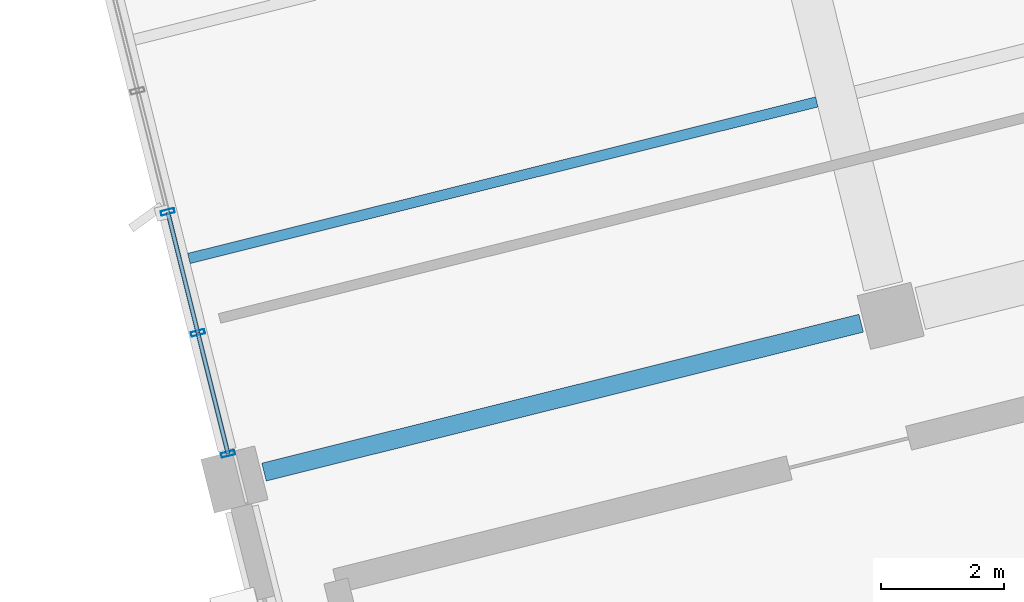
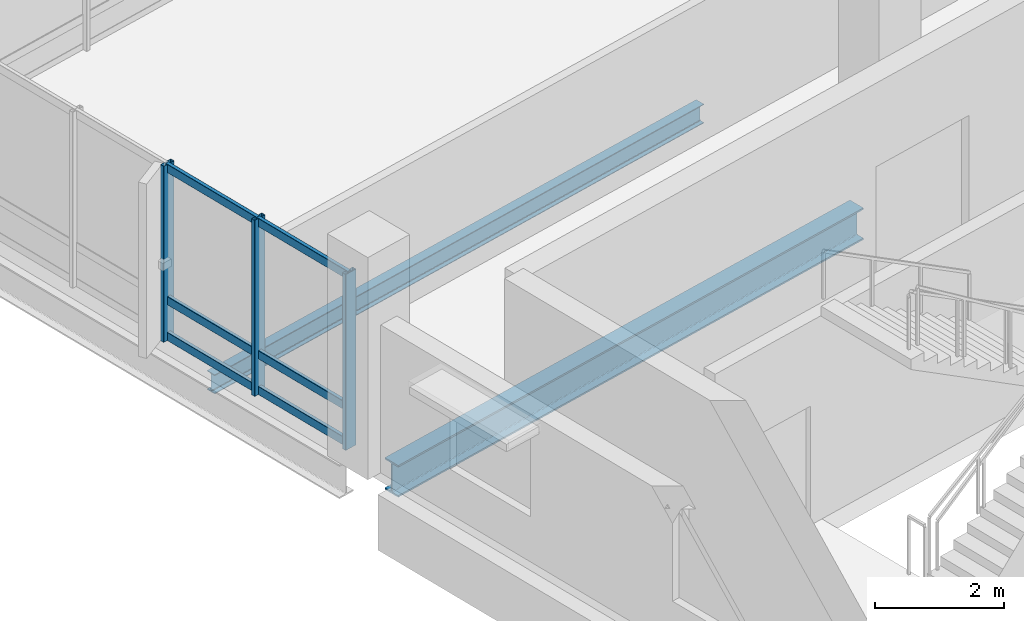
# One storey, part 2 of 42: 9 members, 2 beams, 1 element without a shape of its own.
"""IFC4 building model written with IfcOpenShell, lengths in metres."""

from ifc_helpers import new_model, si_unit, direction, frame, origin, origin_2d, place, context, subcontext, project, spatial, hollow_rectangle, i_section, extrude, material, layer, layer_set, material_profile, profile_set, type_object, element, aggregate, save


model = new_model("IFC4")

# Units and contexts
model_context = context("Model", 3, precision=1e-05, world=origin(), true_north=direction((0.0, 1.0)))
body_context = subcontext(model_context, "Body", "Model", "MODEL_VIEW")
ifc_project = project(units=[si_unit("LENGTHUNIT", "METRE"), si_unit("AREAUNIT", "SQUARE_METRE"), si_unit("VOLUMEUNIT", "CUBIC_METRE"), si_unit("PLANEANGLEUNIT", "RADIAN"), si_unit("MASSUNIT", "GRAM", prefix="KILO")], contexts=[model_context])

# Site, building, storey
site_placement = place(None, origin())
site = spatial("IfcSite", under=ifc_project, at=site_placement, CompositionType="ELEMENT")
building_placement = place(site_placement, origin())
building = spatial("IfcBuilding", under=site, at=building_placement, Name="Khorjan Park Terminus", CompositionType="ELEMENT")
storey_placement = place(building_placement, frame((0.0, 0.0, 20.4)))
storey = spatial("IfcBuildingStorey", under=building, at=storey_placement, Name="L04", CompositionType="ELEMENT", Elevation=20.4)

# Beams
ifc_material_1 = material(Name="Steel S355", Category="steel")
ifc_material_profile_1 = material_profile(ifc_material_1, i_section(OverallWidth=0.3, OverallDepth=0.6, WebThickness=0.0155, FlangeThickness=0.03, FilletRadius=0.027, at=origin_2d()), Name="HEB 600")
ifc_profile_set_1 = profile_set([ifc_material_profile_1], Name="Steel S355")
beam_type_1 = type_object("IfcBeamType", Name="BM-HEB600", PredefinedType="BEAM", material=ifc_profile_set_1)
beam_1_placement = place(storey_placement, frame((174.4924, 15.4541, -0.64), z_axis=(0.970294509049, 0.241926777576, 0.0), x_axis=(-0.241926777576, 0.970294509049, 0.0)))
element("IfcBeam", 1, at=beam_1_placement, inside=storey, type_object=beam_type_1, Name="Primary skew-grid floor girder SB-B60 (L04)", PredefinedType="BEAM", context=body_context, shape_type="SweptSolid", body=[
    extrude(i_section(OverallWidth=0.3, OverallDepth=0.6, WebThickness=0.0155, FlangeThickness=0.03, FilletRadius=0.027, at=origin_2d()), origin(), (0.0, 0.0, 1.0), 10.0101),
])
ifc_material_profile_2 = material_profile(ifc_material_1, i_section(OverallWidth=0.17, OverallDepth=0.36, WebThickness=0.008, FlangeThickness=0.0127, FilletRadius=0.018, at=origin_2d()), Name="IPE 360")
ifc_profile_set_2 = profile_set([ifc_material_profile_2], Name="Steel S355")
beam_type_2 = type_object("IfcBeamType", Name="JS-IPE360", PredefinedType="JOIST", material=ifc_profile_set_2)
beam_2_placement = place(storey_placement, frame((173.2706, 18.9285, -0.52), z_axis=(0.970296558074, 0.241918559415, 0.0), x_axis=(-0.241918559415, 0.970296558074, 0.0)))
element("IfcBeam", 2, at=beam_2_placement, inside=storey, type_object=beam_type_2, Name="Secondary composite floor joist SJ-36 (L04)", PredefinedType="JOIST", context=body_context, shape_type="SweptSolid", body=[
    extrude(i_section(OverallWidth=0.17, OverallDepth=0.36, WebThickness=0.008, FlangeThickness=0.0127, FilletRadius=0.018, at=origin_2d()), origin(), (0.0, 0.0, 1.0), 10.525),
])

# Curtain wall, members
ifc_material_2 = material(Name="Anodized Bronze Aluminium", Category="aluminium")
ifc_layer = layer(ifc_material_2, 0.22)
ifc_layer_set = layer_set([ifc_layer], Name="Anodized Bronze Aluminium")
curtain_wall_type = type_object("IfcCurtainWallType", Name="CW-OPS-B", PredefinedType="NOTDEFINED", material=ifc_layer_set)
curtain_wall_placement = place(storey_placement, origin())
curtain_wall = element("IfcCurtainWall", 3, at=curtain_wall_placement, inside=storey, type_object=curtain_wall_type, Name="Unitized curtain wall CW-B (CW-V5-W-L04-B01)", PredefinedType="NOTDEFINED")
ifc_material_profile_3 = material_profile(ifc_material_2, hollow_rectangle(XDim=0.075, YDim=0.225, WallThickness=0.005, InnerFilletRadius=0.005, OuterFilletRadius=0.01, at=origin_2d()), Name="ALM 75x225x5")
ifc_profile_set_3 = profile_set([ifc_material_profile_3], Name="Anodized Bronze Aluminium")
member_type_1 = type_object("IfcMemberType", Name="ML-ALM-225", PredefinedType="MULLION", material=ifc_profile_set_3)
member_1_placement = place(storey_placement, frame((172.9269, 19.6871, -0.035), z_axis=(0.0, 0.0, 1.0), x_axis=(0.241927656308, -0.970294289952, 0.0)))
member_1 = element("IfcMember", 4, at=member_1_placement, type_object=member_type_1, Name="Curtain-wall mullion ML-22 (CW-V5-W-L04-B01-3)", PredefinedType="MULLION", context=body_context, shape_type="SweptSolid", body=[
    extrude(hollow_rectangle(XDim=0.075, YDim=0.225, WallThickness=0.005, InnerFilletRadius=0.005, OuterFilletRadius=0.01, at=origin_2d()), origin(), (0.0, 0.0, 1.0), 3.325),
])
member_2_placement = place(storey_placement, frame((173.4175, 17.7192, -0.035), z_axis=(0.0, 0.0, 1.0), x_axis=(0.241927656308, -0.970294289952, 0.0)))
member_2 = element("IfcMember", 5, at=member_2_placement, type_object=member_type_1, Name="Curtain-wall mullion ML-22 (CW-V5-W-L04-B01-4)", PredefinedType="MULLION", context=body_context, shape_type="SweptSolid", body=[
    extrude(hollow_rectangle(XDim=0.075, YDim=0.225, WallThickness=0.005, InnerFilletRadius=0.005, OuterFilletRadius=0.01, at=origin_2d()), origin(), (0.0, 0.0, 1.0), 3.325),
])
member_3_placement = place(storey_placement, frame((173.9082, 15.7513, -0.035), z_axis=(0.0, 0.0, 1.0), x_axis=(0.241927656308, -0.970294289952, 0.0)))
member_3 = element("IfcMember", 6, at=member_3_placement, type_object=member_type_1, Name="Curtain-wall mullion ML-22 (CW-V5-W-L04-B01-5)", PredefinedType="MULLION", context=body_context, shape_type="SweptSolid", body=[
    extrude(hollow_rectangle(XDim=0.075, YDim=0.225, WallThickness=0.005, InnerFilletRadius=0.005, OuterFilletRadius=0.01, at=origin_2d()), origin(), (0.0, 0.0, 1.0), 3.325),
])
ifc_material_profile_4 = material_profile(ifc_material_2, hollow_rectangle(XDim=0.07, YDim=0.16, WallThickness=0.004, InnerFilletRadius=0.004, OuterFilletRadius=0.008, at=origin_2d()), Name="ALT 70x160x4")
ifc_profile_set_4 = profile_set([ifc_material_profile_4], Name="Anodized Bronze Aluminium")
member_type_2 = type_object("IfcMemberType", Name="TR-ALT-160", PredefinedType="USERDEFINED", material=ifc_profile_set_4)
member_4_placement = place(storey_placement, frame((172.9269, 19.6871, 0.04), z_axis=(0.241897488986, -0.970301811202, 0.0), x_axis=(0.970301811202, 0.241897488986, 0.0)))
member_4 = element("IfcMember", 7, at=member_4_placement, type_object=member_type_2, Name="Curtain-wall transom TR-16 (CW-V5-W-L04-B01-3-1)", ObjectType="TRANSOM", PredefinedType="USERDEFINED", context=body_context, shape_type="SweptSolid", body=[
    extrude(hollow_rectangle(XDim=0.07, YDim=0.16, WallThickness=0.004, InnerFilletRadius=0.004, OuterFilletRadius=0.008, at=origin_2d()), origin(), (0.0, 0.0, 1.0), 2.0281),
])
member_5_placement = place(storey_placement, frame((172.9269, 19.6871, 0.716), z_axis=(0.241897488986, -0.970301811202, 0.0), x_axis=(0.970301811202, 0.241897488986, 0.0)))
member_5 = element("IfcMember", 8, at=member_5_placement, type_object=member_type_2, Name="Curtain-wall transom TR-16 (CW-V5-W-L04-B01-3-2)", ObjectType="TRANSOM", PredefinedType="USERDEFINED", context=body_context, shape_type="SweptSolid", body=[
    extrude(hollow_rectangle(XDim=0.07, YDim=0.16, WallThickness=0.004, InnerFilletRadius=0.004, OuterFilletRadius=0.008, at=origin_2d()), origin(), (0.0, 0.0, 1.0), 2.0281),
])
member_6_placement = place(storey_placement, frame((172.9269, 19.6871, 3.215), z_axis=(0.241897488986, -0.970301811202, 0.0), x_axis=(0.970301811202, 0.241897488986, 0.0)))
member_6 = element("IfcMember", 9, at=member_6_placement, type_object=member_type_2, Name="Curtain-wall transom TR-16 (CW-V5-W-L04-B01-3-3)", ObjectType="TRANSOM", PredefinedType="USERDEFINED", context=body_context, shape_type="SweptSolid", body=[
    extrude(hollow_rectangle(XDim=0.07, YDim=0.16, WallThickness=0.004, InnerFilletRadius=0.004, OuterFilletRadius=0.008, at=origin_2d()), origin(), (0.0, 0.0, 1.0), 2.0281),
])
member_7_placement = place(storey_placement, frame((173.4175, 17.7192, 0.04), z_axis=(0.241943909477, -0.970290237335, 0.0), x_axis=(0.970290237335, 0.241943909477, 0.0)))
member_7 = element("IfcMember", 10, at=member_7_placement, type_object=member_type_2, Name="Curtain-wall transom TR-16 (CW-V5-W-L04-B01-4-1)", ObjectType="TRANSOM", PredefinedType="USERDEFINED", context=body_context, shape_type="SweptSolid", body=[
    extrude(hollow_rectangle(XDim=0.07, YDim=0.16, WallThickness=0.004, InnerFilletRadius=0.004, OuterFilletRadius=0.008, at=origin_2d()), origin(), (0.0, 0.0, 1.0), 2.0282),
])
member_8_placement = place(storey_placement, frame((173.4175, 17.7192, 0.716), z_axis=(0.241943909477, -0.970290237335, 0.0), x_axis=(0.970290237335, 0.241943909477, 0.0)))
member_8 = element("IfcMember", 11, at=member_8_placement, type_object=member_type_2, Name="Curtain-wall transom TR-16 (CW-V5-W-L04-B01-4-2)", ObjectType="TRANSOM", PredefinedType="USERDEFINED", context=body_context, shape_type="SweptSolid", body=[
    extrude(hollow_rectangle(XDim=0.07, YDim=0.16, WallThickness=0.004, InnerFilletRadius=0.004, OuterFilletRadius=0.008, at=origin_2d()), origin(), (0.0, 0.0, 1.0), 2.0282),
])
member_9_placement = place(storey_placement, frame((173.4175, 17.7192, 3.215), z_axis=(0.241943909477, -0.970290237335, 0.0), x_axis=(0.970290237335, 0.241943909477, 0.0)))
member_9 = element("IfcMember", 12, at=member_9_placement, type_object=member_type_2, Name="Curtain-wall transom TR-16 (CW-V5-W-L04-B01-4-3)", ObjectType="TRANSOM", PredefinedType="USERDEFINED", context=body_context, shape_type="SweptSolid", body=[
    extrude(hollow_rectangle(XDim=0.07, YDim=0.16, WallThickness=0.004, InnerFilletRadius=0.004, OuterFilletRadius=0.008, at=origin_2d()), origin(), (0.0, 0.0, 1.0), 2.0282),
])
aggregate(curtain_wall, [member_1, member_2, member_3, member_4, member_5, member_6, member_7, member_8, member_9])

save(model, "model.ifc")
